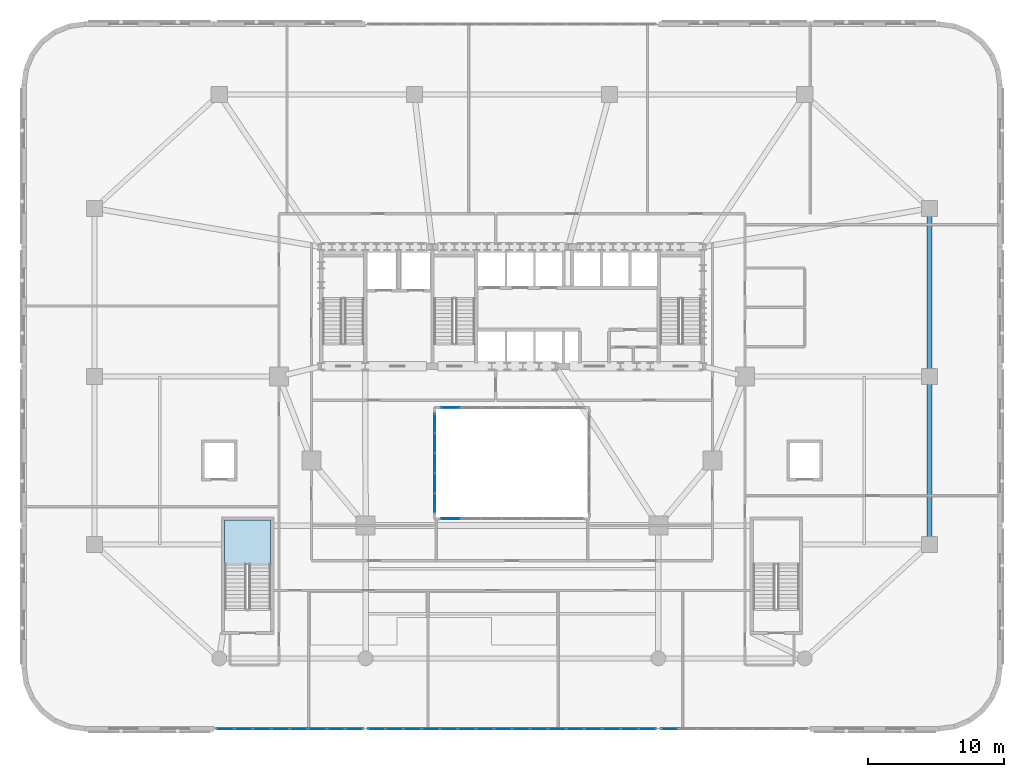
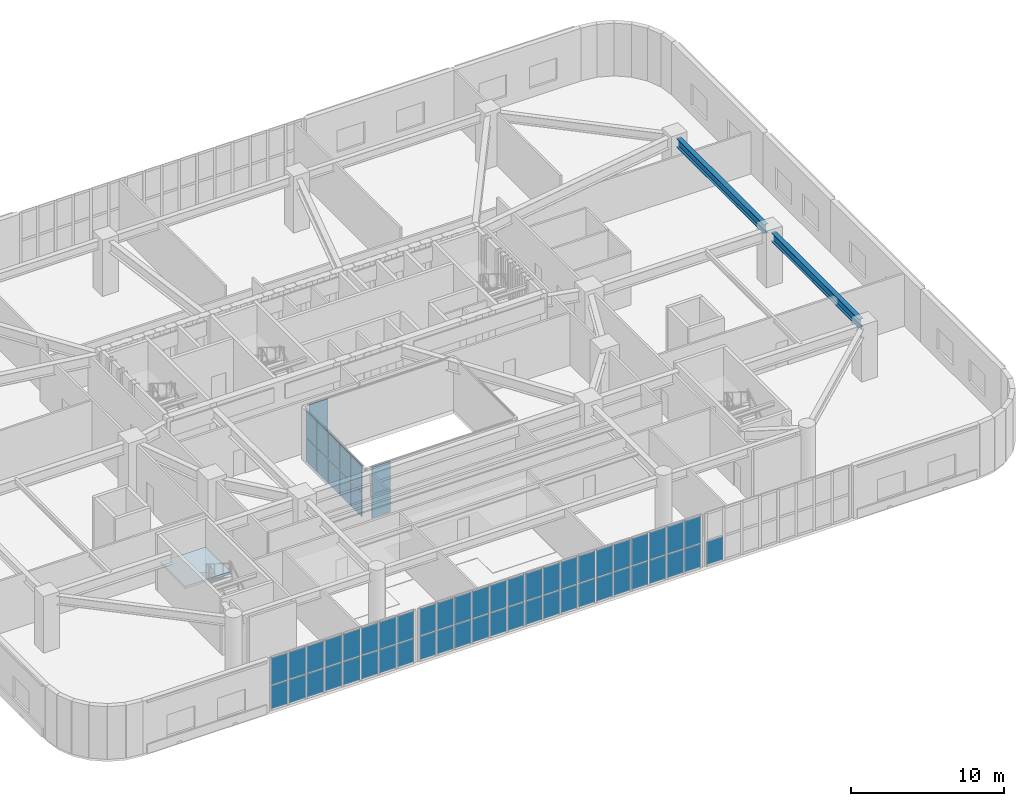
# One storey, part 11 of 25: 63 plates, 2 beams, 1 slab, 7 elements without a shape of their own.
"""IFC4 building model written with IfcOpenShell, lengths in metres."""

from ifc_helpers import new_model, si_unit, direction, frame, origin, origin_2d, place, context, subcontext, project, spatial, polyline, rectangle, i_section, outline, extrude, material, layer, layer_set, material_profile, profile_set, type_object, element, aggregate, save


model = new_model("IFC4")

# Units and contexts
model_context = context("Model", 3, precision=1e-05, world=origin(), true_north=direction((0.0, 1.0)))
body_context = subcontext(model_context, "Body", "Model", "MODEL_VIEW")
ifc_project = project(units=[si_unit("LENGTHUNIT", "METRE"), si_unit("AREAUNIT", "SQUARE_METRE"), si_unit("VOLUMEUNIT", "CUBIC_METRE"), si_unit("PLANEANGLEUNIT", "RADIAN"), si_unit("MASSUNIT", "GRAM", prefix="KILO")], contexts=[model_context])

# Site, building, storey
site_placement = place(None, origin())
site = spatial("IfcSite", under=ifc_project, at=site_placement, CompositionType="ELEMENT")
building_placement = place(site_placement, origin())
building = spatial("IfcBuilding", under=site, at=building_placement, Name="Haldorwick Loom Tower", CompositionType="ELEMENT")
storey_placement = place(building_placement, frame((0.0, 0.0, 15.0)))
storey = spatial("IfcBuildingStorey", under=building, at=storey_placement, Name="L03", CompositionType="ELEMENT", Elevation=15.0)

# Beams
ifc_material_1 = material(Name="Steel CSA G40.21 350W", Category="steel")
ifc_material_profile = material_profile(ifc_material_1, i_section(OverallWidth=0.35498046875, OverallDepth=0.695068359375, WebThickness=0.015380859375, FlangeThickness=0.02490234375, at=origin_2d()), Name="W690X217", Category="steel")
ifc_profile_set = profile_set([ifc_material_profile], Name="Steel CSA G40.21 350W")
beam_type = type_object("IfcBeamType", Name="STR-BM-SP690", PredefinedType="SPANDREL", material=ifc_profile_set)
for number, where, z_axis, x_axis, name in (
    (1, (66.800048828125, 14.080078125, 3.8525390625), (0.0, 1.0, 0.0), (-1.0, 0.0, 0.0), "L03 Podium Spandrel PSP-E1"),
    (2, (66.800048828125, 26.47998046875, 3.8525390625), (0.0, 1.0, 0.0), (-1.0, 0.0, 0.0), "L03 Podium Spandrel PSP-E2"),
):
    element("IfcBeam", number, at=place(storey_placement, frame(where, z_axis=z_axis, x_axis=x_axis)), inside=storey, type_object=beam_type, Name=name, PredefinedType="SPANDREL", context=body_context, shape_type="SweptSolid", body=[
        extrude(i_section(OverallWidth=0.35498046875, OverallDepth=0.695068359375, WebThickness=0.015380859375, FlangeThickness=0.02490234375, at=origin_2d()), origin(), (0.0, 0.0, 1.0), 11.43994140625),
    ])

# Curtain wall, plates
ifc_material_2 = material(Name="Thermally Broken Anodized Aluminium Curtain Wall Framing", Category="aluminium")
curtain_wall_type_1 = type_object("IfcCurtainWallType", Name="ARC-CW-02", PredefinedType="NOTDEFINED", material=ifc_material_2)
curtain_wall_1_placement = place(storey_placement, origin())
curtain_wall_1 = element("IfcCurtainWall", 3, at=curtain_wall_1_placement, inside=storey, type_object=curtain_wall_type_1, Name="L03 Facade Curtain Wall CW-02 Bay 39", PredefinedType="NOTDEFINED")
ifc_material_3 = material(Name="Triple-Glazed Low-E Argon Insulated Glazing Unit", Category="glass")
ifc_layer_1 = layer(ifc_material_3, 0.0400390625, Name="Triple-Glazed Low-E Argon Insulated Glazing Unit", Category="glass")
ifc_layer_set_1 = layer_set([ifc_layer_1], Name="Triple-Glazed Low-E Argon Insulated Glazing Unit")
plate_type_1 = type_object("IfcPlateType", Name="ARC-CWP-02", PredefinedType="CURTAIN_PANEL", material=ifc_layer_set_1)
plate_1_placement = place(storey_placement, frame((14.840087890625, 0.0, 0.06982421875), z_axis=(0.0, 0.0, 1.0), x_axis=(1.0, 0.0, 0.0)))
plate_1 = element("IfcPlate", 4, at=plate_1_placement, type_object=plate_type_1, Name="CW-02 panel 1.1", PredefinedType="CURTAIN_PANEL", context=body_context, shape_type="SweptSolid", body=[
    extrude(rectangle(XDim=1.260009765625, YDim=0.0400390625, at=origin_2d()), origin(), (0.0, 0.0, 1.0), 1.844970703125),
])
plate_2_placement = place(storey_placement, frame((14.840087890625, 0.0, 1.985107421875), z_axis=(0.0, 0.0, 1.0), x_axis=(1.0, 0.0, 0.0)))
plate_2 = element("IfcPlate", 5, at=plate_2_placement, type_object=plate_type_1, Name="CW-02 panel 1.2", PredefinedType="CURTAIN_PANEL", context=body_context, shape_type="SweptSolid", body=[
    extrude(rectangle(XDim=1.260009765625, YDim=0.0400390625, at=origin_2d()), origin(), (0.0, 0.0, 1.0), 2.14501953125),
])
plate_3_placement = place(storey_placement, frame((16.1875, 0.0, 0.06982421875), z_axis=(0.0, 0.0, 1.0), x_axis=(1.0, 0.0, 0.0)))
plate_3 = element("IfcPlate", 6, at=plate_3_placement, type_object=plate_type_1, Name="CW-02 panel 2.1", PredefinedType="CURTAIN_PANEL", context=body_context, shape_type="SweptSolid", body=[
    extrude(rectangle(XDim=1.294921875, YDim=0.0400390625, at=origin_2d()), origin(), (0.0, 0.0, 1.0), 1.844970703125),
])
plate_4_placement = place(storey_placement, frame((16.1875, 0.0, 1.985107421875), z_axis=(0.0, 0.0, 1.0), x_axis=(1.0, 0.0, 0.0)))
plate_4 = element("IfcPlate", 7, at=plate_4_placement, type_object=plate_type_1, Name="CW-02 panel 2.2", PredefinedType="CURTAIN_PANEL", context=body_context, shape_type="SweptSolid", body=[
    extrude(rectangle(XDim=1.294921875, YDim=0.0400390625, at=origin_2d()), origin(), (0.0, 0.0, 1.0), 2.14501953125),
])
plate_5_placement = place(storey_placement, frame((17.552490234375, 0.0, 0.06982421875), z_axis=(0.0, 0.0, 1.0), x_axis=(1.0, 0.0, 0.0)))
plate_5 = element("IfcPlate", 8, at=plate_5_placement, type_object=plate_type_1, Name="CW-02 panel 3.1", PredefinedType="CURTAIN_PANEL", context=body_context, shape_type="SweptSolid", body=[
    extrude(rectangle(XDim=1.294921875, YDim=0.0400390625, at=origin_2d()), origin(), (0.0, 0.0, 1.0), 1.844970703125),
])
plate_6_placement = place(storey_placement, frame((17.552490234375, 0.0, 1.985107421875), z_axis=(0.0, 0.0, 1.0), x_axis=(1.0, 0.0, 0.0)))
plate_6 = element("IfcPlate", 9, at=plate_6_placement, type_object=plate_type_1, Name="CW-02 panel 3.2", PredefinedType="CURTAIN_PANEL", context=body_context, shape_type="SweptSolid", body=[
    extrude(rectangle(XDim=1.294921875, YDim=0.0400390625, at=origin_2d()), origin(), (0.0, 0.0, 1.0), 2.14501953125),
])
plate_7_placement = place(storey_placement, frame((18.91748046875, 0.0, 0.06982421875), z_axis=(0.0, 0.0, 1.0), x_axis=(1.0, 0.0, 0.0)))
plate_7 = element("IfcPlate", 10, at=plate_7_placement, type_object=plate_type_1, Name="CW-02 panel 4.1", PredefinedType="CURTAIN_PANEL", context=body_context, shape_type="SweptSolid", body=[
    extrude(rectangle(XDim=1.294921875, YDim=0.0400390625, at=origin_2d()), origin(), (0.0, 0.0, 1.0), 1.844970703125),
])
plate_8_placement = place(storey_placement, frame((18.91748046875, 0.0, 1.985107421875), z_axis=(0.0, 0.0, 1.0), x_axis=(1.0, 0.0, 0.0)))
plate_8 = element("IfcPlate", 11, at=plate_8_placement, type_object=plate_type_1, Name="CW-02 panel 4.2", PredefinedType="CURTAIN_PANEL", context=body_context, shape_type="SweptSolid", body=[
    extrude(rectangle(XDim=1.294921875, YDim=0.0400390625, at=origin_2d()), origin(), (0.0, 0.0, 1.0), 2.14501953125),
])
plate_9_placement = place(storey_placement, frame((20.282470703125, 0.0, 0.06982421875), z_axis=(0.0, 0.0, 1.0), x_axis=(1.0, 0.0, 0.0)))
plate_9 = element("IfcPlate", 12, at=plate_9_placement, type_object=plate_type_1, Name="CW-02 panel 5.1", PredefinedType="CURTAIN_PANEL", context=body_context, shape_type="SweptSolid", body=[
    extrude(rectangle(XDim=1.294921875, YDim=0.0400390625, at=origin_2d()), origin(), (0.0, 0.0, 1.0), 1.844970703125),
])
plate_10_placement = place(storey_placement, frame((20.282470703125, 0.0, 1.985107421875), z_axis=(0.0, 0.0, 1.0), x_axis=(1.0, 0.0, 0.0)))
plate_10 = element("IfcPlate", 13, at=plate_10_placement, type_object=plate_type_1, Name="CW-02 panel 5.2", PredefinedType="CURTAIN_PANEL", context=body_context, shape_type="SweptSolid", body=[
    extrude(rectangle(XDim=1.294921875, YDim=0.0400390625, at=origin_2d()), origin(), (0.0, 0.0, 1.0), 2.14501953125),
])
plate_11_placement = place(storey_placement, frame((21.6474609375, 0.0, 0.06982421875), z_axis=(0.0, 0.0, 1.0), x_axis=(1.0, 0.0, 0.0)))
plate_11 = element("IfcPlate", 14, at=plate_11_placement, type_object=plate_type_1, Name="CW-02 panel 6.1", PredefinedType="CURTAIN_PANEL", context=body_context, shape_type="SweptSolid", body=[
    extrude(rectangle(XDim=1.294921875, YDim=0.0400390625, at=origin_2d()), origin(), (0.0, 0.0, 1.0), 1.844970703125),
])
plate_12_placement = place(storey_placement, frame((21.6474609375, 0.0, 1.985107421875), z_axis=(0.0, 0.0, 1.0), x_axis=(1.0, 0.0, 0.0)))
plate_12 = element("IfcPlate", 15, at=plate_12_placement, type_object=plate_type_1, Name="CW-02 panel 6.2", PredefinedType="CURTAIN_PANEL", context=body_context, shape_type="SweptSolid", body=[
    extrude(rectangle(XDim=1.294921875, YDim=0.0400390625, at=origin_2d()), origin(), (0.0, 0.0, 1.0), 2.14501953125),
])
plate_13_placement = place(storey_placement, frame((23.012451171875, 0.0, 0.06982421875), z_axis=(0.0, 0.0, 1.0), x_axis=(1.0, 0.0, 0.0)))
plate_13 = element("IfcPlate", 16, at=plate_13_placement, type_object=plate_type_1, Name="CW-02 panel 7.1", PredefinedType="CURTAIN_PANEL", context=body_context, shape_type="SweptSolid", body=[
    extrude(rectangle(XDim=1.294921875, YDim=0.0400390625, at=origin_2d()), origin(), (0.0, 0.0, 1.0), 1.844970703125),
])
plate_14_placement = place(storey_placement, frame((23.012451171875, 0.0, 1.985107421875), z_axis=(0.0, 0.0, 1.0), x_axis=(1.0, 0.0, 0.0)))
plate_14 = element("IfcPlate", 17, at=plate_14_placement, type_object=plate_type_1, Name="CW-02 panel 7.2", PredefinedType="CURTAIN_PANEL", context=body_context, shape_type="SweptSolid", body=[
    extrude(rectangle(XDim=1.294921875, YDim=0.0400390625, at=origin_2d()), origin(), (0.0, 0.0, 1.0), 2.14501953125),
])
plate_15_placement = place(storey_placement, frame((24.360107421875, 0.0, 0.06982421875), z_axis=(0.0, 0.0, 1.0), x_axis=(1.0, 0.0, 0.0)))
plate_15 = element("IfcPlate", 18, at=plate_15_placement, type_object=plate_type_1, Name="CW-02 panel 8.1", PredefinedType="CURTAIN_PANEL", context=body_context, shape_type="SweptSolid", body=[
    extrude(rectangle(XDim=1.260009765625, YDim=0.0400390625, at=origin_2d()), origin(), (0.0, 0.0, 1.0), 1.844970703125),
])
plate_16_placement = place(storey_placement, frame((24.360107421875, 0.0, 1.985107421875), z_axis=(0.0, 0.0, 1.0), x_axis=(1.0, 0.0, 0.0)))
plate_16 = element("IfcPlate", 19, at=plate_16_placement, type_object=plate_type_1, Name="CW-02 panel 8.2", PredefinedType="CURTAIN_PANEL", context=body_context, shape_type="SweptSolid", body=[
    extrude(rectangle(XDim=1.260009765625, YDim=0.0400390625, at=origin_2d()), origin(), (0.0, 0.0, 1.0), 2.14501953125),
])
aggregate(curtain_wall_1, [plate_1, plate_2, plate_3, plate_4, plate_5, plate_6, plate_7, plate_8, plate_9, plate_10, plate_11, plate_12, plate_13, plate_14, plate_15, plate_16])

curtain_wall_2_placement = place(storey_placement, origin())
curtain_wall_2 = element("IfcCurtainWall", 20, at=curtain_wall_2_placement, inside=storey, type_object=curtain_wall_type_1, Name="L03 Facade Curtain Wall CW-02 Bay 40", PredefinedType="NOTDEFINED")
plate_17_placement = place(storey_placement, frame((26.023681640625, 0.0, 0.06982421875), z_axis=(0.0, 0.0, 1.0), x_axis=(1.0, 0.0, 0.0)))
plate_17 = element("IfcPlate", 21, at=plate_17_placement, type_object=plate_type_1, Name="CW-02 panel 1.1", PredefinedType="CURTAIN_PANEL", context=body_context, shape_type="SweptSolid", body=[
    extrude(rectangle(XDim=1.2275390625, YDim=0.0400390625, at=origin_2d()), origin(), (0.0, 0.0, 1.0), 1.844970703125),
])
plate_18_placement = place(storey_placement, frame((26.023681640625, 0.0, 1.985107421875), z_axis=(0.0, 0.0, 1.0), x_axis=(1.0, 0.0, 0.0)))
plate_18 = element("IfcPlate", 22, at=plate_18_placement, type_object=plate_type_1, Name="CW-02 panel 1.2", PredefinedType="CURTAIN_PANEL", context=body_context, shape_type="SweptSolid", body=[
    extrude(rectangle(XDim=1.2275390625, YDim=0.0400390625, at=origin_2d()), origin(), (0.0, 0.0, 1.0), 2.14501953125),
])
plate_19_placement = place(storey_placement, frame((27.3388671875, 0.0, 0.06982421875), z_axis=(0.0, 0.0, 1.0), x_axis=(1.0, 0.0, 0.0)))
plate_19 = element("IfcPlate", 23, at=plate_19_placement, type_object=plate_type_1, Name="CW-02 panel 2.1", PredefinedType="CURTAIN_PANEL", context=body_context, shape_type="SweptSolid", body=[
    extrude(rectangle(XDim=1.262451171875, YDim=0.0400390625, at=origin_2d()), origin(), (0.0, 0.0, 1.0), 1.844970703125),
])
plate_20_placement = place(storey_placement, frame((27.3388671875, 0.0, 1.985107421875), z_axis=(0.0, 0.0, 1.0), x_axis=(1.0, 0.0, 0.0)))
plate_20 = element("IfcPlate", 24, at=plate_20_placement, type_object=plate_type_1, Name="CW-02 panel 2.2", PredefinedType="CURTAIN_PANEL", context=body_context, shape_type="SweptSolid", body=[
    extrude(rectangle(XDim=1.262451171875, YDim=0.0400390625, at=origin_2d()), origin(), (0.0, 0.0, 1.0), 2.14501953125),
])
plate_21_placement = place(storey_placement, frame((28.671142578125, 0.0, 0.06982421875), z_axis=(0.0, 0.0, 1.0), x_axis=(1.0, 0.0, 0.0)))
plate_21 = element("IfcPlate", 25, at=plate_21_placement, type_object=plate_type_1, Name="CW-02 panel 3.1", PredefinedType="CURTAIN_PANEL", context=body_context, shape_type="SweptSolid", body=[
    extrude(rectangle(XDim=1.262451171875, YDim=0.0400390625, at=origin_2d()), origin(), (0.0, 0.0, 1.0), 1.844970703125),
])
plate_22_placement = place(storey_placement, frame((28.671142578125, 0.0, 1.985107421875), z_axis=(0.0, 0.0, 1.0), x_axis=(1.0, 0.0, 0.0)))
plate_22 = element("IfcPlate", 26, at=plate_22_placement, type_object=plate_type_1, Name="CW-02 panel 3.2", PredefinedType="CURTAIN_PANEL", context=body_context, shape_type="SweptSolid", body=[
    extrude(rectangle(XDim=1.262451171875, YDim=0.0400390625, at=origin_2d()), origin(), (0.0, 0.0, 1.0), 2.14501953125),
])
plate_23_placement = place(storey_placement, frame((30.003662109375, 0.0, 0.06982421875), z_axis=(0.0, 0.0, 1.0), x_axis=(1.0, 0.0, 0.0)))
plate_23 = element("IfcPlate", 27, at=plate_23_placement, type_object=plate_type_1, Name="CW-02 panel 4.1", PredefinedType="CURTAIN_PANEL", context=body_context, shape_type="SweptSolid", body=[
    extrude(rectangle(XDim=1.262451171875, YDim=0.0400390625, at=origin_2d()), origin(), (0.0, 0.0, 1.0), 1.844970703125),
])
plate_24_placement = place(storey_placement, frame((30.003662109375, 0.0, 1.985107421875), z_axis=(0.0, 0.0, 1.0), x_axis=(1.0, 0.0, 0.0)))
plate_24 = element("IfcPlate", 28, at=plate_24_placement, type_object=plate_type_1, Name="CW-02 panel 4.2", PredefinedType="CURTAIN_PANEL", context=body_context, shape_type="SweptSolid", body=[
    extrude(rectangle(XDim=1.262451171875, YDim=0.0400390625, at=origin_2d()), origin(), (0.0, 0.0, 1.0), 2.14501953125),
])
plate_25_placement = place(storey_placement, frame((31.336181640625, 0.0, 0.06982421875), z_axis=(0.0, 0.0, 1.0), x_axis=(1.0, 0.0, 0.0)))
plate_25 = element("IfcPlate", 29, at=plate_25_placement, type_object=plate_type_1, Name="CW-02 panel 5.1", PredefinedType="CURTAIN_PANEL", context=body_context, shape_type="SweptSolid", body=[
    extrude(rectangle(XDim=1.262451171875, YDim=0.0400390625, at=origin_2d()), origin(), (0.0, 0.0, 1.0), 1.844970703125),
])
plate_26_placement = place(storey_placement, frame((31.336181640625, 0.0, 1.985107421875), z_axis=(0.0, 0.0, 1.0), x_axis=(1.0, 0.0, 0.0)))
plate_26 = element("IfcPlate", 30, at=plate_26_placement, type_object=plate_type_1, Name="CW-02 panel 5.2", PredefinedType="CURTAIN_PANEL", context=body_context, shape_type="SweptSolid", body=[
    extrude(rectangle(XDim=1.262451171875, YDim=0.0400390625, at=origin_2d()), origin(), (0.0, 0.0, 1.0), 2.14501953125),
])
plate_27_placement = place(storey_placement, frame((32.668701171875, 0.0, 0.06982421875), z_axis=(0.0, 0.0, 1.0), x_axis=(1.0, 0.0, 0.0)))
plate_27 = element("IfcPlate", 31, at=plate_27_placement, type_object=plate_type_1, Name="CW-02 panel 6.1", PredefinedType="CURTAIN_PANEL", context=body_context, shape_type="SweptSolid", body=[
    extrude(rectangle(XDim=1.262451171875, YDim=0.0400390625, at=origin_2d()), origin(), (0.0, 0.0, 1.0), 1.844970703125),
])
plate_28_placement = place(storey_placement, frame((32.668701171875, 0.0, 1.985107421875), z_axis=(0.0, 0.0, 1.0), x_axis=(1.0, 0.0, 0.0)))
plate_28 = element("IfcPlate", 32, at=plate_28_placement, type_object=plate_type_1, Name="CW-02 panel 6.2", PredefinedType="CURTAIN_PANEL", context=body_context, shape_type="SweptSolid", body=[
    extrude(rectangle(XDim=1.262451171875, YDim=0.0400390625, at=origin_2d()), origin(), (0.0, 0.0, 1.0), 2.14501953125),
])
plate_29_placement = place(storey_placement, frame((34.001220703125, 0.0, 0.06982421875), z_axis=(0.0, 0.0, 1.0), x_axis=(1.0, 0.0, 0.0)))
plate_29 = element("IfcPlate", 33, at=plate_29_placement, type_object=plate_type_1, Name="CW-02 panel 7.1", PredefinedType="CURTAIN_PANEL", context=body_context, shape_type="SweptSolid", body=[
    extrude(rectangle(XDim=1.262451171875, YDim=0.0400390625, at=origin_2d()), origin(), (0.0, 0.0, 1.0), 1.844970703125),
])
plate_30_placement = place(storey_placement, frame((34.001220703125, 0.0, 1.985107421875), z_axis=(0.0, 0.0, 1.0), x_axis=(1.0, 0.0, 0.0)))
plate_30 = element("IfcPlate", 34, at=plate_30_placement, type_object=plate_type_1, Name="CW-02 panel 7.2", PredefinedType="CURTAIN_PANEL", context=body_context, shape_type="SweptSolid", body=[
    extrude(rectangle(XDim=1.262451171875, YDim=0.0400390625, at=origin_2d()), origin(), (0.0, 0.0, 1.0), 2.14501953125),
])
plate_31_placement = place(storey_placement, frame((35.333740234375, 0.0, 0.06982421875), z_axis=(0.0, 0.0, 1.0), x_axis=(1.0, 0.0, 0.0)))
plate_31 = element("IfcPlate", 35, at=plate_31_placement, type_object=plate_type_1, Name="CW-02 panel 8.1", PredefinedType="CURTAIN_PANEL", context=body_context, shape_type="SweptSolid", body=[
    extrude(rectangle(XDim=1.262451171875, YDim=0.0400390625, at=origin_2d()), origin(), (0.0, 0.0, 1.0), 1.844970703125),
])
plate_32_placement = place(storey_placement, frame((35.333740234375, 0.0, 1.985107421875), z_axis=(0.0, 0.0, 1.0), x_axis=(1.0, 0.0, 0.0)))
plate_32 = element("IfcPlate", 36, at=plate_32_placement, type_object=plate_type_1, Name="CW-02 panel 8.2", PredefinedType="CURTAIN_PANEL", context=body_context, shape_type="SweptSolid", body=[
    extrude(rectangle(XDim=1.262451171875, YDim=0.0400390625, at=origin_2d()), origin(), (0.0, 0.0, 1.0), 2.14501953125),
])
plate_33_placement = place(storey_placement, frame((36.666259765625, 0.0, 0.06982421875), z_axis=(0.0, 0.0, 1.0), x_axis=(1.0, 0.0, 0.0)))
plate_33 = element("IfcPlate", 37, at=plate_33_placement, type_object=plate_type_1, Name="CW-02 panel 9.1", PredefinedType="CURTAIN_PANEL", context=body_context, shape_type="SweptSolid", body=[
    extrude(rectangle(XDim=1.262451171875, YDim=0.0400390625, at=origin_2d()), origin(), (0.0, 0.0, 1.0), 1.844970703125),
])
plate_34_placement = place(storey_placement, frame((36.666259765625, 0.0, 1.985107421875), z_axis=(0.0, 0.0, 1.0), x_axis=(1.0, 0.0, 0.0)))
plate_34 = element("IfcPlate", 38, at=plate_34_placement, type_object=plate_type_1, Name="CW-02 panel 9.2", PredefinedType="CURTAIN_PANEL", context=body_context, shape_type="SweptSolid", body=[
    extrude(rectangle(XDim=1.262451171875, YDim=0.0400390625, at=origin_2d()), origin(), (0.0, 0.0, 1.0), 2.14501953125),
])
plate_35_placement = place(storey_placement, frame((37.998779296875, 0.0, 0.06982421875), z_axis=(0.0, 0.0, 1.0), x_axis=(1.0, 0.0, 0.0)))
plate_35 = element("IfcPlate", 39, at=plate_35_placement, type_object=plate_type_1, Name="CW-02 panel 10.1", PredefinedType="CURTAIN_PANEL", context=body_context, shape_type="SweptSolid", body=[
    extrude(rectangle(XDim=1.262451171875, YDim=0.0400390625, at=origin_2d()), origin(), (0.0, 0.0, 1.0), 1.844970703125),
])
plate_36_placement = place(storey_placement, frame((37.998779296875, 0.0, 1.985107421875), z_axis=(0.0, 0.0, 1.0), x_axis=(1.0, 0.0, 0.0)))
plate_36 = element("IfcPlate", 40, at=plate_36_placement, type_object=plate_type_1, Name="CW-02 panel 10.2", PredefinedType="CURTAIN_PANEL", context=body_context, shape_type="SweptSolid", body=[
    extrude(rectangle(XDim=1.262451171875, YDim=0.0400390625, at=origin_2d()), origin(), (0.0, 0.0, 1.0), 2.14501953125),
])
plate_37_placement = place(storey_placement, frame((39.331298828125, 0.0, 0.06982421875), z_axis=(0.0, 0.0, 1.0), x_axis=(1.0, 0.0, 0.0)))
plate_37 = element("IfcPlate", 41, at=plate_37_placement, type_object=plate_type_1, Name="CW-02 panel 11.1", PredefinedType="CURTAIN_PANEL", context=body_context, shape_type="SweptSolid", body=[
    extrude(rectangle(XDim=1.262451171875, YDim=0.0400390625, at=origin_2d()), origin(), (0.0, 0.0, 1.0), 1.844970703125),
])
plate_38_placement = place(storey_placement, frame((39.331298828125, 0.0, 1.985107421875), z_axis=(0.0, 0.0, 1.0), x_axis=(1.0, 0.0, 0.0)))
plate_38 = element("IfcPlate", 42, at=plate_38_placement, type_object=plate_type_1, Name="CW-02 panel 11.2", PredefinedType="CURTAIN_PANEL", context=body_context, shape_type="SweptSolid", body=[
    extrude(rectangle(XDim=1.262451171875, YDim=0.0400390625, at=origin_2d()), origin(), (0.0, 0.0, 1.0), 2.14501953125),
])
plate_39_placement = place(storey_placement, frame((40.663818359375, 0.0, 0.06982421875), z_axis=(0.0, 0.0, 1.0), x_axis=(1.0, 0.0, 0.0)))
plate_39 = element("IfcPlate", 43, at=plate_39_placement, type_object=plate_type_1, Name="CW-02 panel 12.1", PredefinedType="CURTAIN_PANEL", context=body_context, shape_type="SweptSolid", body=[
    extrude(rectangle(XDim=1.262451171875, YDim=0.0400390625, at=origin_2d()), origin(), (0.0, 0.0, 1.0), 1.844970703125),
])
plate_40_placement = place(storey_placement, frame((40.663818359375, 0.0, 1.985107421875), z_axis=(0.0, 0.0, 1.0), x_axis=(1.0, 0.0, 0.0)))
plate_40 = element("IfcPlate", 44, at=plate_40_placement, type_object=plate_type_1, Name="CW-02 panel 12.2", PredefinedType="CURTAIN_PANEL", context=body_context, shape_type="SweptSolid", body=[
    extrude(rectangle(XDim=1.262451171875, YDim=0.0400390625, at=origin_2d()), origin(), (0.0, 0.0, 1.0), 2.14501953125),
])
plate_41_placement = place(storey_placement, frame((41.996337890625, 0.0, 0.06982421875), z_axis=(0.0, 0.0, 1.0), x_axis=(1.0, 0.0, 0.0)))
plate_41 = element("IfcPlate", 45, at=plate_41_placement, type_object=plate_type_1, Name="CW-02 panel 13.1", PredefinedType="CURTAIN_PANEL", context=body_context, shape_type="SweptSolid", body=[
    extrude(rectangle(XDim=1.262451171875, YDim=0.0400390625, at=origin_2d()), origin(), (0.0, 0.0, 1.0), 1.844970703125),
])
plate_42_placement = place(storey_placement, frame((41.996337890625, 0.0, 1.985107421875), z_axis=(0.0, 0.0, 1.0), x_axis=(1.0, 0.0, 0.0)))
plate_42 = element("IfcPlate", 46, at=plate_42_placement, type_object=plate_type_1, Name="CW-02 panel 13.2", PredefinedType="CURTAIN_PANEL", context=body_context, shape_type="SweptSolid", body=[
    extrude(rectangle(XDim=1.262451171875, YDim=0.0400390625, at=origin_2d()), origin(), (0.0, 0.0, 1.0), 2.14501953125),
])
plate_43_placement = place(storey_placement, frame((43.328857421875, 0.0, 0.06982421875), z_axis=(0.0, 0.0, 1.0), x_axis=(1.0, 0.0, 0.0)))
plate_43 = element("IfcPlate", 47, at=plate_43_placement, type_object=plate_type_1, Name="CW-02 panel 14.1", PredefinedType="CURTAIN_PANEL", context=body_context, shape_type="SweptSolid", body=[
    extrude(rectangle(XDim=1.262451171875, YDim=0.0400390625, at=origin_2d()), origin(), (0.0, 0.0, 1.0), 1.844970703125),
])
plate_44_placement = place(storey_placement, frame((43.328857421875, 0.0, 1.985107421875), z_axis=(0.0, 0.0, 1.0), x_axis=(1.0, 0.0, 0.0)))
plate_44 = element("IfcPlate", 48, at=plate_44_placement, type_object=plate_type_1, Name="CW-02 panel 14.2", PredefinedType="CURTAIN_PANEL", context=body_context, shape_type="SweptSolid", body=[
    extrude(rectangle(XDim=1.262451171875, YDim=0.0400390625, at=origin_2d()), origin(), (0.0, 0.0, 1.0), 2.14501953125),
])
plate_45_placement = place(storey_placement, frame((44.6611328125, 0.0, 0.06982421875), z_axis=(0.0, 0.0, 1.0), x_axis=(1.0, 0.0, 0.0)))
plate_45 = element("IfcPlate", 49, at=plate_45_placement, type_object=plate_type_1, Name="CW-02 panel 15.1", PredefinedType="CURTAIN_PANEL", context=body_context, shape_type="SweptSolid", body=[
    extrude(rectangle(XDim=1.262451171875, YDim=0.0400390625, at=origin_2d()), origin(), (0.0, 0.0, 1.0), 1.844970703125),
])
plate_46_placement = place(storey_placement, frame((44.6611328125, 0.0, 1.985107421875), z_axis=(0.0, 0.0, 1.0), x_axis=(1.0, 0.0, 0.0)))
plate_46 = element("IfcPlate", 50, at=plate_46_placement, type_object=plate_type_1, Name="CW-02 panel 15.2", PredefinedType="CURTAIN_PANEL", context=body_context, shape_type="SweptSolid", body=[
    extrude(rectangle(XDim=1.262451171875, YDim=0.0400390625, at=origin_2d()), origin(), (0.0, 0.0, 1.0), 2.14501953125),
])
plate_47_placement = place(storey_placement, frame((45.976318359375, 0.0, 0.06982421875), z_axis=(0.0, 0.0, 1.0), x_axis=(1.0, 0.0, 0.0)))
plate_47 = element("IfcPlate", 51, at=plate_47_placement, type_object=plate_type_1, Name="CW-02 panel 16.1", PredefinedType="CURTAIN_PANEL", context=body_context, shape_type="SweptSolid", body=[
    extrude(rectangle(XDim=1.2275390625, YDim=0.0400390625, at=origin_2d()), origin(), (0.0, 0.0, 1.0), 1.844970703125),
])
plate_48_placement = place(storey_placement, frame((45.976318359375, 0.0, 1.985107421875), z_axis=(0.0, 0.0, 1.0), x_axis=(1.0, 0.0, 0.0)))
plate_48 = element("IfcPlate", 52, at=plate_48_placement, type_object=plate_type_1, Name="CW-02 panel 16.2", PredefinedType="CURTAIN_PANEL", context=body_context, shape_type="SweptSolid", body=[
    extrude(rectangle(XDim=1.2275390625, YDim=0.0400390625, at=origin_2d()), origin(), (0.0, 0.0, 1.0), 2.14501953125),
])
aggregate(curtain_wall_2, [plate_17, plate_18, plate_19, plate_20, plate_21, plate_22, plate_23, plate_24, plate_25, plate_26, plate_27, plate_28, plate_29, plate_30, plate_31, plate_32, plate_33, plate_34, plate_35, plate_36, plate_37, plate_38, plate_39, plate_40, plate_41, plate_42, plate_43, plate_44, plate_45, plate_46, plate_47, plate_48])

# Curtain wall, plate
curtain_wall_3_placement = place(storey_placement, origin())
curtain_wall_3 = element("IfcCurtainWall", 53, at=curtain_wall_3_placement, inside=storey, type_object=curtain_wall_type_1, Name="L03 Facade Curtain Wall CW-02 Bay 41", PredefinedType="NOTDEFINED")
plate_49_placement = place(storey_placement, frame((47.639892578125, 0.0, 0.06982421875), z_axis=(0.0, 0.0, 1.0), x_axis=(1.0, 0.0, 0.0)))
plate_49 = element("IfcPlate", 54, at=plate_49_placement, type_object=plate_type_1, Name="CW-02 panel 1.1", PredefinedType="CURTAIN_PANEL", context=body_context, shape_type="SweptSolid", body=[
    extrude(rectangle(XDim=1.260009765625, YDim=0.0400390625, at=origin_2d()), origin(), (0.0, 0.0, 1.0), 1.844970703125),
])
aggregate(curtain_wall_3, [plate_49])

# Curtain wall, plates
curtain_wall_type_2 = type_object("IfcCurtainWallType", Name="ARC-CW-03", PredefinedType="NOTDEFINED", material=ifc_material_2)
curtain_wall_4_placement = place(storey_placement, origin())
curtain_wall_4 = element("IfcCurtainWall", 55, at=curtain_wall_4_placement, inside=storey, type_object=curtain_wall_type_2, Name="L03 Atrium Glazed Screen S", PredefinedType="NOTDEFINED")
ifc_layer_2 = layer(ifc_material_3, 0.04296875, Name="Triple-Glazed Low-E Argon Insulated Glazing Unit", Category="glass")
ifc_layer_set_2 = layer_set([ifc_layer_2], Name="Triple-Glazed Low-E Argon Insulated Glazing Unit")
plate_type_2 = type_object("IfcPlateType", Name="ARC-CWP-03", PredefinedType="CURTAIN_PANEL", material=ifc_layer_set_2)
plate_50_placement = place(storey_placement, frame((31.4736328125, 15.5, 0.066162109375), z_axis=(0.0, 0.0, 1.0), x_axis=(-1.0, 0.0, 0.0)))
plate_50 = element("IfcPlate", 56, at=plate_50_placement, type_object=plate_type_2, Name="CW-03 panel 7.1", PredefinedType="CURTAIN_PANEL", context=body_context, shape_type="SweptSolid", body=[
    extrude(rectangle(XDim=1.415283203125, YDim=0.04296875, at=origin_2d()), origin(), (0.0, 0.0, 1.0), 1.90087890625),
])
plate_51_placement = place(storey_placement, frame((31.4736328125, 15.5, 2.032958984375), z_axis=(0.0, 0.0, 1.0), x_axis=(-1.0, 0.0, 0.0)))
plate_51 = element("IfcPlate", 57, at=plate_51_placement, type_object=plate_type_2, Name="CW-03 panel 7.2", PredefinedType="CURTAIN_PANEL", context=body_context, shape_type="SweptSolid", body=[
    extrude(rectangle(XDim=1.415283203125, YDim=0.04296875, at=origin_2d()), origin(), (0.0, 0.0, 1.0), 2.10107421875),
])
aggregate(curtain_wall_4, [plate_50, plate_51])

curtain_wall_5_placement = place(storey_placement, origin())
curtain_wall_5 = element("IfcCurtainWall", 58, at=curtain_wall_5_placement, inside=storey, type_object=curtain_wall_type_2, Name="L03 Atrium Glazed Screen N", PredefinedType="NOTDEFINED")
plate_52_placement = place(storey_placement, frame((31.4736328125, 23.699951171875, 0.066162109375), z_axis=(0.0, 0.0, 1.0), x_axis=(1.0, 0.0, 0.0)))
plate_52 = element("IfcPlate", 59, at=plate_52_placement, type_object=plate_type_2, Name="CW-03 panel 1.1", PredefinedType="CURTAIN_PANEL", context=body_context, shape_type="SweptSolid", body=[
    extrude(rectangle(XDim=1.415283203125, YDim=0.04296875, at=origin_2d()), origin(), (0.0, 0.0, 1.0), 1.90087890625),
])
plate_53_placement = place(storey_placement, frame((31.4736328125, 23.699951171875, 2.032958984375), z_axis=(0.0, 0.0, 1.0), x_axis=(1.0, 0.0, 0.0)))
plate_53 = element("IfcPlate", 60, at=plate_53_placement, type_object=plate_type_2, Name="CW-03 panel 1.2", PredefinedType="CURTAIN_PANEL", context=body_context, shape_type="SweptSolid", body=[
    extrude(rectangle(XDim=1.415283203125, YDim=0.04296875, at=origin_2d()), origin(), (0.0, 0.0, 1.0), 2.10107421875),
])
aggregate(curtain_wall_5, [plate_52, plate_53])

curtain_wall_6_placement = place(storey_placement, origin())
curtain_wall_6 = element("IfcCurtainWall", 61, at=curtain_wall_6_placement, inside=storey, type_object=curtain_wall_type_2, Name="L03 Atrium Glazed Screen W", PredefinedType="NOTDEFINED")
plate_54_placement = place(storey_placement, frame((30.300048828125, 16.656494140625, 0.066162109375), z_axis=(0.0, 0.0, 1.0), x_axis=(0.0, 1.0, 0.0)))
plate_54 = element("IfcPlate", 62, at=plate_54_placement, type_object=plate_type_2, Name="CW-03 panel 1.1", PredefinedType="CURTAIN_PANEL", context=body_context, shape_type="SweptSolid", body=[
    extrude(rectangle(XDim=1.381103515625, YDim=0.04296875, at=origin_2d()), origin(), (0.0, 0.0, 1.0), 1.90087890625),
])
plate_55_placement = place(storey_placement, frame((30.300048828125, 16.656494140625, 2.032958984375), z_axis=(0.0, 0.0, 1.0), x_axis=(0.0, 1.0, 0.0)))
plate_55 = element("IfcPlate", 63, at=plate_55_placement, type_object=plate_type_2, Name="CW-03 panel 1.2", PredefinedType="CURTAIN_PANEL", context=body_context, shape_type="SweptSolid", body=[
    extrude(rectangle(XDim=1.381103515625, YDim=0.04296875, at=origin_2d()), origin(), (0.0, 0.0, 1.0), 2.10107421875),
])
plate_56_placement = place(storey_placement, frame((30.300048828125, 18.1201171875, 0.066162109375), z_axis=(0.0, 0.0, 1.0), x_axis=(0.0, 1.0, 0.0)))
plate_56 = element("IfcPlate", 64, at=plate_56_placement, type_object=plate_type_2, Name="CW-03 panel 2.1", PredefinedType="CURTAIN_PANEL", context=body_context, shape_type="SweptSolid", body=[
    extrude(rectangle(XDim=1.4140625, YDim=0.04296875, at=origin_2d()), origin(), (0.0, 0.0, 1.0), 1.90087890625),
])
plate_57_placement = place(storey_placement, frame((30.300048828125, 18.1201171875, 2.032958984375), z_axis=(0.0, 0.0, 1.0), x_axis=(0.0, 1.0, 0.0)))
plate_57 = element("IfcPlate", 65, at=plate_57_placement, type_object=plate_type_2, Name="CW-03 panel 2.2", PredefinedType="CURTAIN_PANEL", context=body_context, shape_type="SweptSolid", body=[
    extrude(rectangle(XDim=1.4140625, YDim=0.04296875, at=origin_2d()), origin(), (0.0, 0.0, 1.0), 2.10107421875),
])
plate_58_placement = place(storey_placement, frame((30.300048828125, 19.60009765625, 0.066162109375), z_axis=(0.0, 0.0, 1.0), x_axis=(0.0, 1.0, 0.0)))
plate_58 = element("IfcPlate", 66, at=plate_58_placement, type_object=plate_type_2, Name="CW-03 panel 3.1", PredefinedType="CURTAIN_PANEL", context=body_context, shape_type="SweptSolid", body=[
    extrude(rectangle(XDim=1.4140625, YDim=0.04296875, at=origin_2d()), origin(), (0.0, 0.0, 1.0), 1.90087890625),
])
plate_59_placement = place(storey_placement, frame((30.300048828125, 19.60009765625, 2.032958984375), z_axis=(0.0, 0.0, 1.0), x_axis=(0.0, 1.0, 0.0)))
plate_59 = element("IfcPlate", 67, at=plate_59_placement, type_object=plate_type_2, Name="CW-03 panel 3.2", PredefinedType="CURTAIN_PANEL", context=body_context, shape_type="SweptSolid", body=[
    extrude(rectangle(XDim=1.4140625, YDim=0.04296875, at=origin_2d()), origin(), (0.0, 0.0, 1.0), 2.10107421875),
])
plate_60_placement = place(storey_placement, frame((30.300048828125, 21.080078125, 0.066162109375), z_axis=(0.0, 0.0, 1.0), x_axis=(0.0, 1.0, 0.0)))
plate_60 = element("IfcPlate", 68, at=plate_60_placement, type_object=plate_type_2, Name="CW-03 panel 4.1", PredefinedType="CURTAIN_PANEL", context=body_context, shape_type="SweptSolid", body=[
    extrude(rectangle(XDim=1.4140625, YDim=0.04296875, at=origin_2d()), origin(), (0.0, 0.0, 1.0), 1.90087890625),
])
plate_61_placement = place(storey_placement, frame((30.300048828125, 21.080078125, 2.032958984375), z_axis=(0.0, 0.0, 1.0), x_axis=(0.0, 1.0, 0.0)))
plate_61 = element("IfcPlate", 69, at=plate_61_placement, type_object=plate_type_2, Name="CW-03 panel 4.2", PredefinedType="CURTAIN_PANEL", context=body_context, shape_type="SweptSolid", body=[
    extrude(rectangle(XDim=1.4140625, YDim=0.04296875, at=origin_2d()), origin(), (0.0, 0.0, 1.0), 2.10107421875),
])
plate_62_placement = place(storey_placement, frame((30.300048828125, 22.54345703125, 0.066162109375), z_axis=(0.0, 0.0, 1.0), x_axis=(0.0, 1.0, 0.0)))
plate_62 = element("IfcPlate", 70, at=plate_62_placement, type_object=plate_type_2, Name="CW-03 panel 5.1", PredefinedType="CURTAIN_PANEL", context=body_context, shape_type="SweptSolid", body=[
    extrude(rectangle(XDim=1.381103515625, YDim=0.04296875, at=origin_2d()), origin(), (0.0, 0.0, 1.0), 1.90087890625),
])
plate_63_placement = place(storey_placement, frame((30.300048828125, 22.54345703125, 2.032958984375), z_axis=(0.0, 0.0, 1.0), x_axis=(0.0, 1.0, 0.0)))
plate_63 = element("IfcPlate", 71, at=plate_63_placement, type_object=plate_type_2, Name="CW-03 panel 5.2", PredefinedType="CURTAIN_PANEL", context=body_context, shape_type="SweptSolid", body=[
    extrude(rectangle(XDim=1.381103515625, YDim=0.04296875, at=origin_2d()), origin(), (0.0, 0.0, 1.0), 2.10107421875),
])
aggregate(curtain_wall_6, [plate_54, plate_55, plate_56, plate_57, plate_58, plate_59, plate_60, plate_61, plate_62, plate_63])

# Stair, slab
ifc_material_4 = material(Name="Concrete C40 (40 MPa)", Category="concrete")
stair_type = type_object("IfcStairType", Name="STR-STR-POD", PredefinedType="HALF_TURN_STAIR", material=ifc_material_4)
stair_placement = place(storey_placement, origin())
stair = element("IfcStair", 72, at=stair_placement, inside=storey, type_object=stair_type, Name="L03 Exit Stair ST-P1", PredefinedType="HALF_TURN_STAIR")
ifc_layer_3 = layer(ifc_material_4, 0.199951171875, Name="Concrete C40 (40 MPa)", Category="concrete")
ifc_layer_set_3 = layer_set([ifc_layer_3], Name="Concrete C40 (40 MPa)")
slab_type = type_object("IfcSlabType", Name="STR-SLB-LAND200", PredefinedType="LANDING", material=ifc_layer_set_3)
slab_placement = place(storey_placement, frame((0.0, 0.0, 2.050048828125)))
slab = element("IfcSlab", 73, at=slab_placement, type_object=slab_type, Name="ST-P1 landing 1", PredefinedType="LANDING", context=body_context, shape_type="SweptSolid", body=[
    extrude(outline(polyline([(18.199951171875, 12.159912109375), (18.199951171875, 15.39990234375), (14.800048828125, 15.39990234375), (14.800048828125, 12.159912109375), (18.199951171875, 12.159912109375)])), origin(), (0.0, 0.0, 1.0), 0.199951171875),
])
aggregate(stair, [slab])

save(model, "model.ifc")
